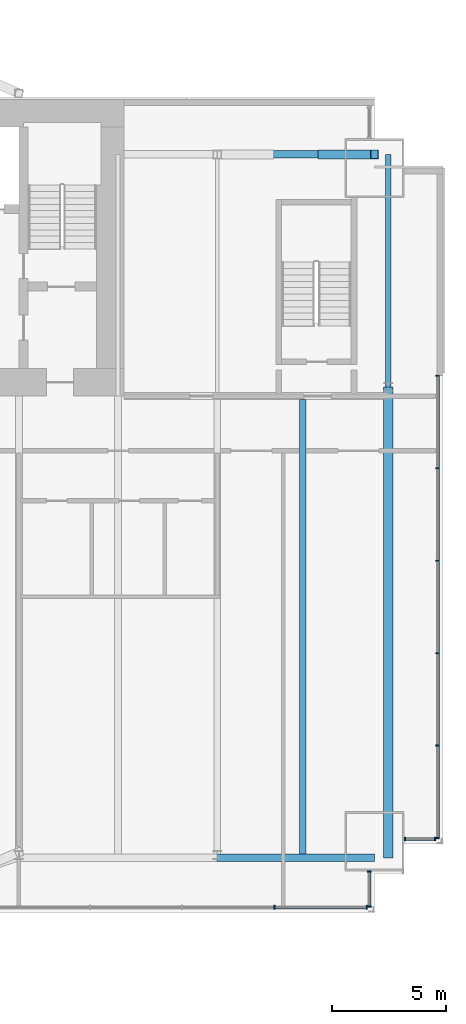
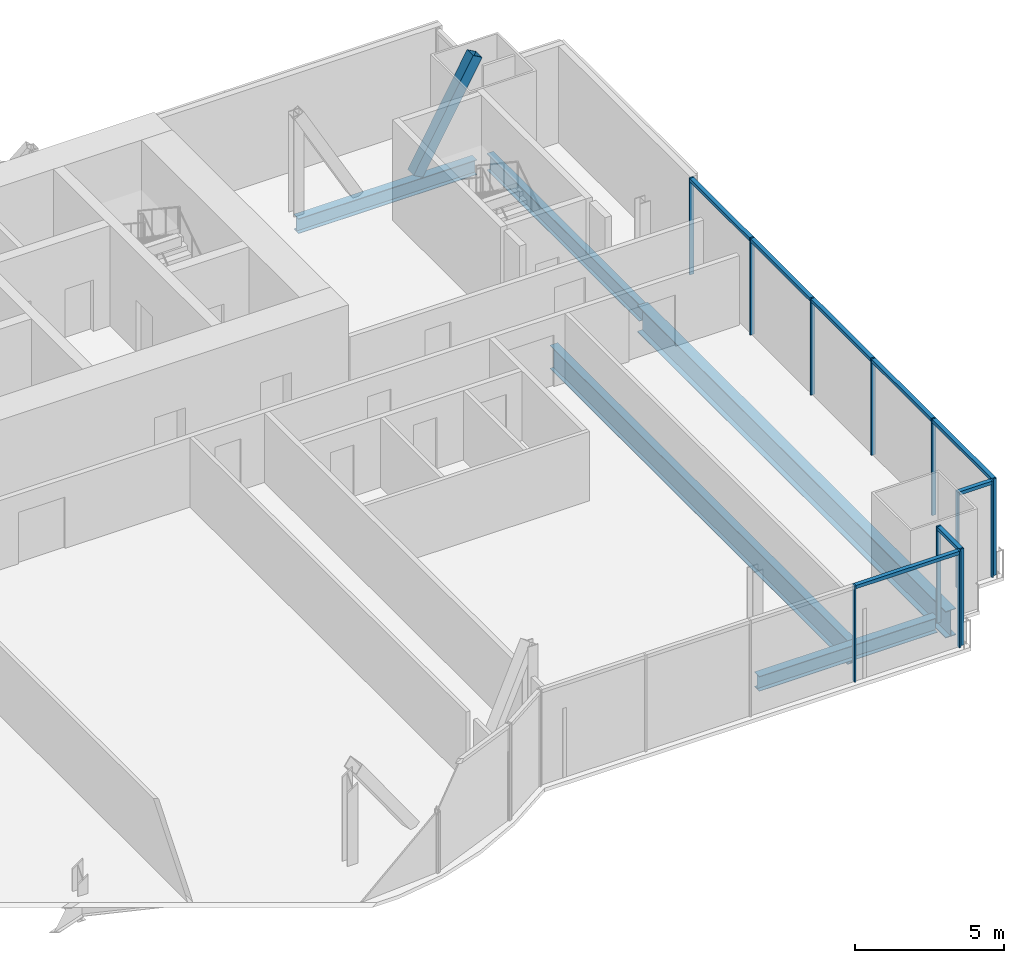
# One storey, part 13 of 22: 21 members, 5 beams, 4 elements without a shape of their own.
"""IFC4 building model written with IfcOpenShell, lengths in metres."""

from ifc_helpers import new_model, si_unit, direction, frame, origin, origin_2d, place, context, subcontext, project, spatial, rectangle, hollow_rectangle, i_section, extrude, material, material_profile, profile_set, type_object, element, aggregate, save


model = new_model("IFC4")

# Units and contexts
model_context = context("Model", 3, precision=1e-05, world=origin(), true_north=direction((0.0, 1.0)))
body_context = subcontext(model_context, "Body", "Model", "MODEL_VIEW")
ifc_project = project(units=[si_unit("LENGTHUNIT", "METRE"), si_unit("AREAUNIT", "SQUARE_METRE"), si_unit("VOLUMEUNIT", "CUBIC_METRE"), si_unit("PLANEANGLEUNIT", "RADIAN"), si_unit("MASSUNIT", "GRAM", prefix="KILO")], contexts=[model_context])

# Site, building, storey
site_placement = place(None, origin())
site = spatial("IfcSite", under=ifc_project, at=site_placement, CompositionType="ELEMENT")
building_placement = place(site_placement, origin())
building = spatial("IfcBuilding", under=site, at=building_placement, Name="Bicima Exchange Tower", CompositionType="ELEMENT")
storey_placement = place(building_placement, frame((0.0, 0.0, 148.60009765625)))
storey = spatial("IfcBuildingStorey", under=building, at=storey_placement, Name="L32", CompositionType="ELEMENT", Elevation=148.60009765625)

# Curtain wall, members
ifc_material_1 = material(Name="Anodised bronze aluminium", Category="aluminium")
curtain_wall_type_1 = type_object("IfcCurtainWallType", Name="End face glass wall", PredefinedType="NOTDEFINED", material=ifc_material_1)
curtain_wall_1_placement = place(storey_placement, origin())
curtain_wall_1 = element("IfcCurtainWall", 1, at=curtain_wall_1_placement, inside=storey, type_object=curtain_wall_type_1, Name="End face glass wall L32 run 19", PredefinedType="NOTDEFINED")
ifc_material_profile_1 = material_profile(ifc_material_1, rectangle(XDim=0.159912109375, YDim=0.06005859375, at=origin_2d()))
ifc_profile_set_1 = profile_set([ifc_material_profile_1], Name="Anodised bronze aluminium")
member_type_1 = type_object("IfcMemberType", Name="End face glass wall mullion 60 x 160", PredefinedType="MULLION", material=ifc_profile_set_1)
member_1_placement = place(storey_placement, frame((35.77001953125, -32.39599609375, 0.0), z_axis=(0.0, 0.0, 1.0), x_axis=(-1.0, 0.0, 0.0)))
member_1 = element("IfcMember", 2, at=member_1_placement, type_object=member_type_1, Name="End face glass wall mullion 1", PredefinedType="MULLION", context=body_context, shape_type="SweptSolid", body=[
    extrude(rectangle(XDim=0.159912109375, YDim=0.06005859375, at=origin_2d()), origin(), (0.0, 0.0, 1.0), 3.949951171875),
])
member_2_placement = place(storey_placement, frame((35.77001953125, -28.3388671875, 0.0), z_axis=(0.0, 0.0, 1.0), x_axis=(-1.0, 0.0, 0.0)))
member_2 = element("IfcMember", 3, at=member_2_placement, type_object=member_type_1, Name="End face glass wall mullion 2", PredefinedType="MULLION", context=body_context, shape_type="SweptSolid", body=[
    extrude(rectangle(XDim=0.159912109375, YDim=0.06005859375, at=origin_2d()), origin(), (0.0, 0.0, 1.0), 3.949951171875),
])
member_3_placement = place(storey_placement, frame((35.77001953125, -24.281494140625, 0.0), z_axis=(0.0, 0.0, 1.0), x_axis=(-1.0, 0.0, 0.0)))
member_3 = element("IfcMember", 4, at=member_3_placement, type_object=member_type_1, Name="End face glass wall mullion 3", PredefinedType="MULLION", context=body_context, shape_type="SweptSolid", body=[
    extrude(rectangle(XDim=0.159912109375, YDim=0.06005859375, at=origin_2d()), origin(), (0.0, 0.0, 1.0), 3.949951171875),
])
member_4_placement = place(storey_placement, frame((35.77001953125, -20.224365234375, 0.0), z_axis=(0.0, 0.0, 1.0), x_axis=(-1.0, 0.0, 0.0)))
member_4 = element("IfcMember", 5, at=member_4_placement, type_object=member_type_1, Name="End face glass wall mullion 4", PredefinedType="MULLION", context=body_context, shape_type="SweptSolid", body=[
    extrude(rectangle(XDim=0.159912109375, YDim=0.06005859375, at=origin_2d()), origin(), (0.0, 0.0, 1.0), 3.949951171875),
])
member_5_placement = place(storey_placement, frame((35.77001953125, -16.167236328125, 0.0), z_axis=(0.0, 0.0, 1.0), x_axis=(-1.0, 0.0, 0.0)))
member_5 = element("IfcMember", 6, at=member_5_placement, type_object=member_type_1, Name="End face glass wall mullion 5", PredefinedType="MULLION", context=body_context, shape_type="SweptSolid", body=[
    extrude(rectangle(XDim=0.159912109375, YDim=0.06005859375, at=origin_2d()), origin(), (0.0, 0.0, 1.0), 3.949951171875),
])
member_6_placement = place(storey_placement, frame((35.77001953125, -12.110107421875, 0.0), z_axis=(0.0, 0.0, 1.0), x_axis=(-1.0, 0.0, 0.0)))
member_6 = element("IfcMember", 7, at=member_6_placement, type_object=member_type_1, Name="End face glass wall mullion 6", PredefinedType="MULLION", context=body_context, shape_type="SweptSolid", body=[
    extrude(rectangle(XDim=0.159912109375, YDim=0.06005859375, at=origin_2d()), origin(), (0.0, 0.0, 1.0), 3.949951171875),
])
ifc_material_profile_2 = material_profile(ifc_material_1, rectangle(XDim=0.159912109375, YDim=0.139892578125, at=origin_2d()))
ifc_profile_set_2 = profile_set([ifc_material_profile_2], Name="Anodised bronze aluminium")
member_type_2 = type_object("IfcMemberType", Name="End face glass wall transom 140 x 160", PredefinedType="USERDEFINED", material=ifc_profile_set_2)
member_7_placement = place(storey_placement, frame((35.77001953125, -32.365966796875, 3.8798828125), z_axis=(0.0, 1.0, 0.0), x_axis=(-1.0, 0.0, 0.0)))
member_7 = element("IfcMember", 8, at=member_7_placement, type_object=member_type_2, Name="End face glass wall transom 1.1", ObjectType="TRANSOM", PredefinedType="USERDEFINED", context=body_context, shape_type="SweptSolid", body=[
    extrude(rectangle(XDim=0.159912109375, YDim=0.139892578125, at=origin_2d()), origin(), (0.0, 0.0, 1.0), 3.9970703125),
])
member_8_placement = place(storey_placement, frame((35.77001953125, -28.308837890625, 3.8798828125), z_axis=(0.0, 1.0, 0.0), x_axis=(-1.0, 0.0, 0.0)))
member_8 = element("IfcMember", 9, at=member_8_placement, type_object=member_type_2, Name="End face glass wall transom 2.1", ObjectType="TRANSOM", PredefinedType="USERDEFINED", context=body_context, shape_type="SweptSolid", body=[
    extrude(rectangle(XDim=0.159912109375, YDim=0.139892578125, at=origin_2d()), origin(), (0.0, 0.0, 1.0), 3.997314453125),
])
member_9_placement = place(storey_placement, frame((35.77001953125, -24.251708984375, 3.8798828125), z_axis=(0.0, 1.0, 0.0), x_axis=(-1.0, 0.0, 0.0)))
member_9 = element("IfcMember", 10, at=member_9_placement, type_object=member_type_2, Name="End face glass wall transom 3.1", ObjectType="TRANSOM", PredefinedType="USERDEFINED", context=body_context, shape_type="SweptSolid", body=[
    extrude(rectangle(XDim=0.159912109375, YDim=0.139892578125, at=origin_2d()), origin(), (0.0, 0.0, 1.0), 3.997314453125),
])
member_10_placement = place(storey_placement, frame((35.77001953125, -20.1943359375, 3.8798828125), z_axis=(0.0, 1.0, 0.0), x_axis=(-1.0, 0.0, 0.0)))
member_10 = element("IfcMember", 11, at=member_10_placement, type_object=member_type_2, Name="End face glass wall transom 4.1", ObjectType="TRANSOM", PredefinedType="USERDEFINED", context=body_context, shape_type="SweptSolid", body=[
    extrude(rectangle(XDim=0.159912109375, YDim=0.139892578125, at=origin_2d()), origin(), (0.0, 0.0, 1.0), 3.9970703125),
])
member_11_placement = place(storey_placement, frame((35.77001953125, -16.13720703125, 3.8798828125), z_axis=(0.0, 1.0, 0.0), x_axis=(-1.0, 0.0, 0.0)))
member_11 = element("IfcMember", 12, at=member_11_placement, type_object=member_type_2, Name="End face glass wall transom 5.1", ObjectType="TRANSOM", PredefinedType="USERDEFINED", context=body_context, shape_type="SweptSolid", body=[
    extrude(rectangle(XDim=0.159912109375, YDim=0.139892578125, at=origin_2d()), origin(), (0.0, 0.0, 1.0), 3.997314453125),
])
aggregate(curtain_wall_1, [member_1, member_2, member_3, member_4, member_5, member_6, member_7, member_8, member_9, member_10, member_11])

# Beams
ifc_material_2 = material(Name="Steel ASTM A992 Gr 50", Category="steel")
ifc_material_profile_3 = material_profile(ifc_material_2, i_section(OverallWidth=0.256591796875, OverallDepth=0.693359375, WebThickness=0.014404296875, FlangeThickness=0.023681640625, at=origin_2d()))
ifc_profile_set_3 = profile_set([ifc_material_profile_3], Name="Steel ASTM A992 Gr 50")
beam_type_1 = type_object("IfcBeamType", Name="End girder W27x114", PredefinedType="BEAM", material=ifc_profile_set_3)
beam_1_placement = place(storey_placement, frame((33.60009765625, -2.39990234375, -0.496826171875), z_axis=(0.0, -1.0, 0.0), x_axis=(1.0, 0.0, 0.0)))
element("IfcBeam", 13, at=beam_1_placement, inside=storey, type_object=beam_type_1, Name="End girder", PredefinedType="BEAM", context=body_context, shape_type="SweptSolid", body=[
    extrude(i_section(OverallWidth=0.256591796875, OverallDepth=0.693359375, WebThickness=0.014404296875, FlangeThickness=0.023681640625, at=origin_2d()), origin(), (0.0, 0.0, 1.0), 10.2001953125),
])
ifc_material_profile_4 = material_profile(ifc_material_2, i_section(OverallWidth=0.4013671875, OverallDepth=1.089599609375, WebThickness=0.01806640625, FlangeThickness=0.031005859375, at=origin_2d()))
ifc_profile_set_4 = profile_set([ifc_material_profile_4], Name="Steel ASTM A992 Gr 50")
beam_type_2 = type_object("IfcBeamType", Name="End girder W44x230", PredefinedType="BEAM", material=ifc_profile_set_4)
beam_2_placement = place(storey_placement, frame((33.60009765625, -12.60009765625, -0.69482421875), z_axis=(0.0, -1.0, 0.0), x_axis=(1.0, 0.0, 0.0)))
element("IfcBeam", 14, at=beam_2_placement, inside=storey, type_object=beam_type_2, Name="End girder", PredefinedType="BEAM", context=body_context, shape_type="SweptSolid", body=[
    extrude(i_section(OverallWidth=0.4013671875, OverallDepth=1.089599609375, WebThickness=0.01806640625, FlangeThickness=0.031005859375, at=origin_2d()), origin(), (0.0, 0.0, 1.0), 20.656005859375),
])
ifc_material_profile_5 = material_profile(ifc_material_2, i_section(OverallWidth=0.2998046875, OverallDepth=0.97021484375, WebThickness=0.01611328125, FlangeThickness=0.02099609375, at=origin_2d()))
ifc_profile_set_5 = profile_set([ifc_material_profile_5], Name="Steel ASTM A992 Gr 50")
beam_type_3 = type_object("IfcBeamType", Name="Floor beam W40x149", PredefinedType="JOIST", material=ifc_profile_set_5)
beam_3_placement = place(storey_placement, frame((29.85009765625, -13.15234375, -0.63525390625), z_axis=(0.0, -1.0, 0.0), x_axis=(1.0, 0.0, 0.0)))
element("IfcBeam", 15, at=beam_3_placement, inside=storey, type_object=beam_type_3, Name="Floor beam", PredefinedType="JOIST", context=body_context, shape_type="SweptSolid", body=[
    extrude(i_section(OverallWidth=0.2998046875, OverallDepth=0.97021484375, WebThickness=0.01611328125, FlangeThickness=0.02099609375, at=origin_2d()), origin(), (0.0, 0.0, 1.0), 19.941162109375),
])
ifc_material_profile_6 = material_profile(ifc_material_2, i_section(OverallWidth=0.3251953125, OverallDepth=0.612060546875, WebThickness=0.0126953125, FlangeThickness=0.01904296875, at=origin_2d()))
ifc_profile_set_6 = profile_set([ifc_material_profile_6], Name="Steel ASTM A992 Gr 50")
beam_type_4 = type_object("IfcBeamType", Name="Front girder W24x104", PredefinedType="BEAM", material=ifc_profile_set_6)
beam_4_placement = place(storey_placement, frame((26.10009765625, -33.256103515625, -0.456298828125), z_axis=(1.0, 0.0, 0.0), x_axis=(0.0, 1.0, 0.0)))
element("IfcBeam", 16, at=beam_4_placement, inside=storey, type_object=beam_type_4, Name="Front girder", PredefinedType="BEAM", context=body_context, shape_type="SweptSolid", body=[
    extrude(i_section(OverallWidth=0.3251953125, OverallDepth=0.612060546875, WebThickness=0.0126953125, FlangeThickness=0.01904296875, at=origin_2d()), origin(), (0.0, 0.0, 1.0), 6.89990234375),
])

# Curtain wall, members
curtain_wall_type_2 = type_object("IfcCurtainWallType", Name="Front glass wall", PredefinedType="NOTDEFINED", material=ifc_material_1)
curtain_wall_2_placement = place(storey_placement, origin())
curtain_wall_2 = element("IfcCurtainWall", 17, at=curtain_wall_2_placement, inside=storey, type_object=curtain_wall_type_2, Name="Front glass wall L32 run 16", PredefinedType="NOTDEFINED")
member_type_3 = type_object("IfcMemberType", Name="Front glass wall mullion 60 x 160", PredefinedType="MULLION", material=ifc_profile_set_1)
member_12_placement = place(storey_placement, frame((28.610595703125, -35.426025390625, 0.0), z_axis=(0.0, 0.0, 1.0), x_axis=(0.0, 1.0, 0.0)))
member_12 = element("IfcMember", 18, at=member_12_placement, type_object=member_type_3, Name="Front glass wall mullion 4", PredefinedType="MULLION", context=body_context, shape_type="SweptSolid", body=[
    extrude(rectangle(XDim=0.159912109375, YDim=0.06005859375, at=origin_2d()), origin(), (0.0, 0.0, 1.0), 3.949951171875),
])
member_13_placement = place(storey_placement, frame((32.659912109375, -35.426025390625, 0.0), z_axis=(0.0, 0.0, 1.0), x_axis=(0.0, 1.0, 0.0)))
member_13 = element("IfcMember", 19, at=member_13_placement, type_object=member_type_3, Name="Front glass wall mullion 5", PredefinedType="MULLION", context=body_context, shape_type="SweptSolid", body=[
    extrude(rectangle(XDim=0.159912109375, YDim=0.06005859375, at=origin_2d()), origin(), (0.0, 0.0, 1.0), 3.949951171875),
])

curtain_wall_3_placement = place(storey_placement, origin())
curtain_wall_3 = element("IfcCurtainWall", 20, at=curtain_wall_3_placement, inside=storey, type_object=curtain_wall_type_2, Name="Front glass wall L32 run 17", PredefinedType="NOTDEFINED")
member_14_placement = place(storey_placement, frame((32.77001953125, -35.39599609375, 0.0), z_axis=(0.0, 0.0, 1.0), x_axis=(-1.0, 0.0, 0.0)))
member_14 = element("IfcMember", 21, at=member_14_placement, type_object=member_type_3, Name="Front glass wall mullion 1", PredefinedType="MULLION", context=body_context, shape_type="SweptSolid", body=[
    extrude(rectangle(XDim=0.159912109375, YDim=0.06005859375, at=origin_2d()), origin(), (0.0, 0.0, 1.0), 3.949951171875),
])
member_15_placement = place(storey_placement, frame((32.77001953125, -33.864013671875, 0.0), z_axis=(0.0, 0.0, 1.0), x_axis=(-1.0, 0.0, 0.0)))
member_15 = element("IfcMember", 22, at=member_15_placement, type_object=member_type_3, Name="Front glass wall mullion 2", PredefinedType="MULLION", context=body_context, shape_type="SweptSolid", body=[
    extrude(rectangle(XDim=0.159912109375, YDim=0.06005859375, at=origin_2d()), origin(), (0.0, 0.0, 1.0), 3.949951171875),
])

curtain_wall_4_placement = place(storey_placement, origin())
curtain_wall_4 = element("IfcCurtainWall", 23, at=curtain_wall_4_placement, inside=storey, type_object=curtain_wall_type_2, Name="Front glass wall L32 run 18", PredefinedType="NOTDEFINED")
member_16_placement = place(storey_placement, frame((34.330078125, -32.426025390625, 0.0), z_axis=(0.0, 0.0, 1.0), x_axis=(0.0, 1.0, 0.0)))
member_16 = element("IfcMember", 24, at=member_16_placement, type_object=member_type_3, Name="Front glass wall mullion 1", PredefinedType="MULLION", context=body_context, shape_type="SweptSolid", body=[
    extrude(rectangle(XDim=0.159912109375, YDim=0.06005859375, at=origin_2d()), origin(), (0.0, 0.0, 1.0), 3.949951171875),
])
member_17_placement = place(storey_placement, frame((35.659912109375, -32.426025390625, 0.0), z_axis=(0.0, 0.0, 1.0), x_axis=(0.0, 1.0, 0.0)))
member_17 = element("IfcMember", 25, at=member_17_placement, type_object=member_type_3, Name="Front glass wall mullion 2", PredefinedType="MULLION", context=body_context, shape_type="SweptSolid", body=[
    extrude(rectangle(XDim=0.159912109375, YDim=0.06005859375, at=origin_2d()), origin(), (0.0, 0.0, 1.0), 3.949951171875),
])

# Member
member_type_4 = type_object("IfcMemberType", Name="Front glass wall transom 140 x 160", PredefinedType="USERDEFINED", material=ifc_profile_set_2)
member_18_placement = place(storey_placement, frame((28.640380859375, -35.426025390625, 3.8798828125), z_axis=(1.0, 0.0, 0.0), x_axis=(0.0, 1.0, 0.0)))
member_18 = element("IfcMember", 26, at=member_18_placement, type_object=member_type_4, Name="Front glass wall transom 4.1", ObjectType="TRANSOM", PredefinedType="USERDEFINED", context=body_context, shape_type="SweptSolid", body=[
    extrude(rectangle(XDim=0.159912109375, YDim=0.139892578125, at=origin_2d()), origin(), (0.0, 0.0, 1.0), 3.989501953125),
])

aggregate(curtain_wall_2, [member_12, member_13, member_18])

member_19_placement = place(storey_placement, frame((32.77001953125, -35.365966796875, 3.8798828125), z_axis=(0.0, 1.0, 0.0), x_axis=(-1.0, 0.0, 0.0)))
member_19 = element("IfcMember", 27, at=member_19_placement, type_object=member_type_4, Name="Front glass wall transom 1.1", ObjectType="TRANSOM", PredefinedType="USERDEFINED", context=body_context, shape_type="SweptSolid", body=[
    extrude(rectangle(XDim=0.159912109375, YDim=0.139892578125, at=origin_2d()), origin(), (0.0, 0.0, 1.0), 1.471923828125),
])

aggregate(curtain_wall_3, [member_14, member_15, member_19])

member_20_placement = place(storey_placement, frame((34.360107421875, -32.426025390625, 3.8798828125), z_axis=(1.0, 0.0, 0.0), x_axis=(0.0, 1.0, 0.0)))
member_20 = element("IfcMember", 28, at=member_20_placement, type_object=member_type_4, Name="Front glass wall transom 1.1", ObjectType="TRANSOM", PredefinedType="USERDEFINED", context=body_context, shape_type="SweptSolid", body=[
    extrude(rectangle(XDim=0.159912109375, YDim=0.139892578125, at=origin_2d()), origin(), (0.0, 0.0, 1.0), 1.269775390625),
])

aggregate(curtain_wall_4, [member_16, member_17, member_20])

ifc_material_3 = material(Name="Steel ASTM A572 Gr 50", Category="steel")
ifc_material_profile_7 = material_profile(ifc_material_3, hollow_rectangle(XDim=0.406494140625, YDim=0.406494140625, WallThickness=0.017822265625, at=origin_2d()))
ifc_profile_set_7 = profile_set([ifc_material_profile_7], Name="Steel ASTM A572 Gr 50")
member_type_5 = type_object("IfcMemberType", Name="Mega brace HSS16x16x3/4", PredefinedType="BRACE", material=ifc_profile_set_7)
member_21_placement = place(storey_placement, frame((30.699951171875, -2.39990234375, 0.0), z_axis=(0.489272170815, 0.0, 0.872131150037), x_axis=(0.0, 1.0, 0.0)))
element("IfcMember", 29, at=member_21_placement, inside=storey, type_object=member_type_5, Name="Mega brace rear", PredefinedType="BRACE", context=body_context, shape_type="SweptSolid", body=[
    extrude(hollow_rectangle(XDim=0.406494140625, YDim=0.406494140625, WallThickness=0.017822265625, at=origin_2d()), origin(), (0.0, 0.0, 1.0), 4.700927734375),
])

# Beam
beam_type_5 = type_object("IfcBeamType", Name="Rear girder W24x104", PredefinedType="BEAM", material=ifc_profile_set_6)
beam_5_placement = place(storey_placement, frame((26.10009765625, -2.39990234375, -0.456298828125), z_axis=(1.0, 0.0, 0.0), x_axis=(0.0, 1.0, 0.0)))
element("IfcBeam", 30, at=beam_5_placement, inside=storey, type_object=beam_type_5, Name="Rear girder", PredefinedType="BEAM", context=body_context, shape_type="SweptSolid", body=[
    extrude(i_section(OverallWidth=0.3251953125, OverallDepth=0.612060546875, WebThickness=0.0126953125, FlangeThickness=0.01904296875, at=origin_2d()), origin(), (0.0, 0.0, 1.0), 6.89990234375),
])

save(model, "model.ifc")
